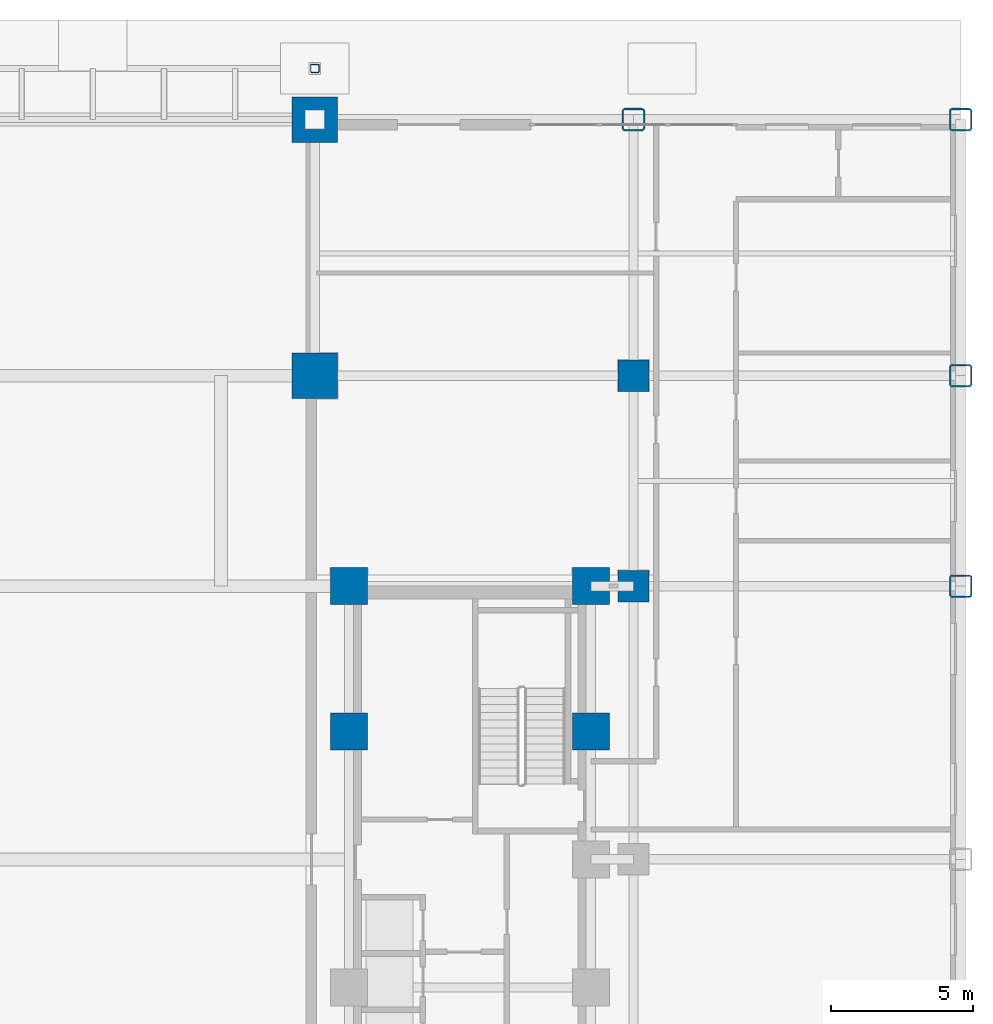
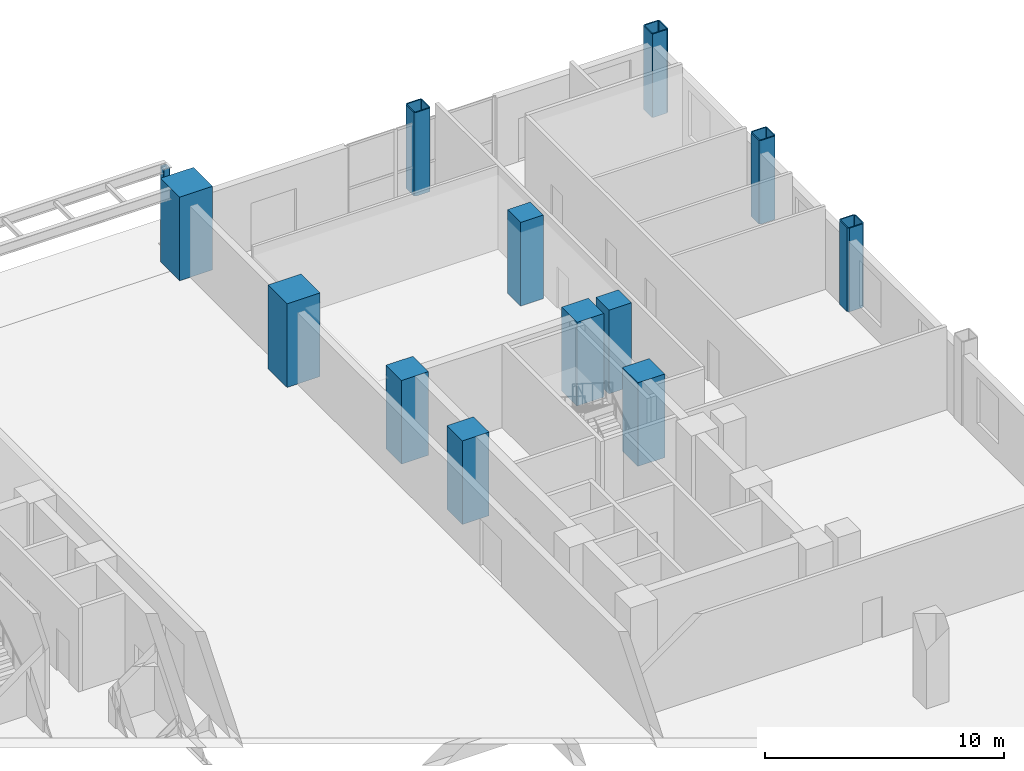
# One storey, part 5 of 20: 13 columns.
"""IFC4 building model written with IfcOpenShell, lengths in metres."""

from ifc_helpers import new_model, si_unit, direction, frame, origin, origin_2d, place, context, subcontext, project, spatial, rectangle, hollow_rectangle, extrude, material, material_profile, profile_set, type_object, element, save


model = new_model("IFC4")

# Units and contexts
model_context = context("Model", 3, precision=1e-05, world=origin(), true_north=direction((0.0, 1.0)))
body_context = subcontext(model_context, "Body", "Model", "MODEL_VIEW")
ifc_project = project(units=[si_unit("LENGTHUNIT", "METRE"), si_unit("AREAUNIT", "SQUARE_METRE"), si_unit("VOLUMEUNIT", "CUBIC_METRE"), si_unit("PLANEANGLEUNIT", "RADIAN"), si_unit("MASSUNIT", "GRAM", prefix="KILO")], contexts=[model_context])

# Site, building, storey
site_placement = place(None, origin())
site = spatial("IfcSite", under=ifc_project, at=site_placement, CompositionType="ELEMENT")
building_placement = place(site_placement, origin())
building = spatial("IfcBuilding", under=site, at=building_placement, Name="Nuvemarco Arch Tower", CompositionType="ELEMENT")
storey_placement = place(building_placement, origin())
storey = spatial("IfcBuildingStorey", under=building, at=storey_placement, Name="L00", CompositionType="ELEMENT", Elevation=0.0)

# Columns
ifc_material_1 = material(Name="Steel S355", Category="steel")
ifc_material_profile_1 = material_profile(ifc_material_1, hollow_rectangle(XDim=0.300048828125, YDim=0.300048828125, WallThickness=0.01611328125, InnerFilletRadius=0.01611328125, OuterFilletRadius=0.031982421875, at=origin_2d()), Name="SHS300x300x16")
ifc_profile_set_1 = profile_set([ifc_material_profile_1], Name="Steel S355")
column_type_1 = type_object("IfcColumnType", Name="COL-CANOPY-300", PredefinedType="COLUMN", material=ifc_profile_set_1)
column_placement = place(storey_placement, frame((7.800048828125, 27.800048828125, 0.0), z_axis=(0.0, 0.0, 1.0), x_axis=(1.0, 0.0, 0.0)))
element("IfcColumn", 1, at=column_placement, inside=storey, type_object=column_type_1, Name="Portal arch canopy post N-E", PredefinedType="COLUMN", context=body_context, shape_type="SweptSolid", body=[
    extrude(hollow_rectangle(XDim=0.300048828125, YDim=0.300048828125, WallThickness=0.01611328125, InnerFilletRadius=0.01611328125, OuterFilletRadius=0.031982421875, at=origin_2d()), origin(), (0.0, 0.0, 1.0), 4.0),
])
ifc_material_2 = material(Name="Concrete C60/75", Category="concrete")
ifc_material_profile_2 = material_profile(ifc_material_2, rectangle(XDim=1.10009765625, YDim=1.10009765625, at=origin_2d()), Name="RC-COL-1100x1100")
ifc_profile_set_2 = profile_set([ifc_material_profile_2], Name="Concrete C60/75")
column_type_2 = type_object("IfcColumnType", Name="COL-CORE-1100", PredefinedType="COLUMN", material=ifc_profile_set_2)
for number, where, z_axis, x_axis, name in (
    (2, (19.0, 9.60009765625, 0.0), (0.0, 0.0, 1.0), (1.0, 0.0, 0.0), "L00 column CP_+19.0_+9.6"),
    (3, (19.0, 17.0, 0.0), (0.0, 0.0, 1.0), (1.0, 0.0, 0.0), "L00 column CP_+19.0_+17.0"),
):
    element("IfcColumn", number, at=place(storey_placement, frame(where, z_axis=z_axis, x_axis=x_axis)), inside=storey, type_object=column_type_2, Name=name, PredefinedType="COLUMN", context=body_context, shape_type="SweptSolid", body=[
        extrude(rectangle(XDim=1.10009765625, YDim=1.10009765625, at=origin_2d()), origin(), (0.0, 0.0, 1.0), 4.280029296875),
    ])
ifc_material_profile_3 = material_profile(ifc_material_2, rectangle(XDim=1.300048828125, YDim=1.300048828125, at=origin_2d()), Name="RC-COL-1300x1300")
ifc_profile_set_3 = profile_set([ifc_material_profile_3], Name="Concrete C60/75")
column_type_3 = type_object("IfcColumnType", Name="COL-CORE-1300", PredefinedType="COLUMN", material=ifc_profile_set_3)
for number, where, z_axis, x_axis, name in (
    (4, (9.0, 4.5, 0.0), (0.0, 0.0, 1.0), (1.0, 0.0, 0.0), "L00 column CC_+9.0_+4.5"),
    (5, (9.0, 9.60009765625, 0.0), (0.0, 0.0, 1.0), (1.0, 0.0, 0.0), "L00 column CC_+9.0_+9.6"),
    (6, (17.5, 4.5, 0.0), (0.0, 0.0, 1.0), (1.0, 0.0, 0.0), "L00 column CC_+17.5_+4.5"),
    (7, (17.5, 9.60009765625, 0.0), (0.0, 0.0, 1.0), (1.0, 0.0, 0.0), "L00 column CC_+17.5_+9.6"),
):
    element("IfcColumn", number, at=place(storey_placement, frame(where, z_axis=z_axis, x_axis=x_axis)), inside=storey, type_object=column_type_3, Name=name, PredefinedType="COLUMN", context=body_context, shape_type="SweptSolid", body=[
        extrude(rectangle(XDim=1.300048828125, YDim=1.300048828125, at=origin_2d()), origin(), (0.0, 0.0, 1.0), 4.280029296875),
    ])
ifc_material_3 = material(Name="Steel S460", Category="steel")
ifc_material_profile_4 = material_profile(ifc_material_3, hollow_rectangle(XDim=0.800048828125, YDim=0.800048828125, WallThickness=0.054931640625, InnerFilletRadius=0.054931640625, OuterFilletRadius=0.110107421875, at=origin_2d()), Name="SHS800x800x55")
ifc_profile_set_4 = profile_set([ifc_material_profile_4], Name="Steel S460")
column_type_4 = type_object("IfcColumnType", Name="COL-EXO-800", PredefinedType="COLUMN", material=ifc_profile_set_4)
for number, where, z_axis, x_axis, name in (
    (8, (19.0, 26.0, 0.0), (0.0, 0.0, 1.0), (1.0, 0.0, 0.0), "L00 column CP_+19.0_+26.0"),
    (9, (30.5, 9.60009765625, 0.0), (0.0, 0.0, 1.0), (1.0, 0.0, 0.0), "L00 column CP_+30.5_+9.6"),
    (10, (30.5, 17.0, 0.0), (0.0, 0.0, 1.0), (1.0, 0.0, 0.0), "L00 column CP_+30.5_+17.0"),
    (11, (30.5, 26.0, 0.0), (0.0, 0.0, 1.0), (1.0, 0.0, 0.0), "L00 column CP_+30.5_+26.0"),
):
    element("IfcColumn", number, at=place(storey_placement, frame(where, z_axis=z_axis, x_axis=x_axis)), inside=storey, type_object=column_type_4, Name=name, PredefinedType="COLUMN", context=body_context, shape_type="SweptSolid", body=[
        extrude(hollow_rectangle(XDim=0.800048828125, YDim=0.800048828125, WallThickness=0.054931640625, InnerFilletRadius=0.054931640625, OuterFilletRadius=0.110107421875, at=origin_2d()), origin(), (0.0, 0.0, 1.0), 4.280029296875),
    ])
ifc_material_profile_5 = material_profile(ifc_material_2, rectangle(XDim=1.60009765625, YDim=1.60009765625, at=origin_2d()), Name="RC-COL-1600x1600")
ifc_profile_set_5 = profile_set([ifc_material_profile_5], Name="Concrete C60/75")
column_type_5 = type_object("IfcColumnType", Name="COL-MEGA-1600-EXT", PredefinedType="COLUMN", material=ifc_profile_set_5)
for number, where, z_axis, x_axis, name in (
    (12, (7.800048828125, 17.0, 0.0), (0.0, 0.0, 1.0), (1.0, 0.0, 0.0), "L00 column CM_+7.8_+17.0"),
    (13, (7.800048828125, 26.0, 0.0), (0.0, 0.0, 1.0), (1.0, 0.0, 0.0), "L00 column CM_+7.8_+26.0"),
):
    element("IfcColumn", number, at=place(storey_placement, frame(where, z_axis=z_axis, x_axis=x_axis)), inside=storey, type_object=column_type_5, Name=name, PredefinedType="COLUMN", context=body_context, shape_type="SweptSolid", body=[
        extrude(rectangle(XDim=1.60009765625, YDim=1.60009765625, at=origin_2d()), origin(), (0.0, 0.0, 1.0), 4.280029296875),
    ])

save(model, "model.ifc")
